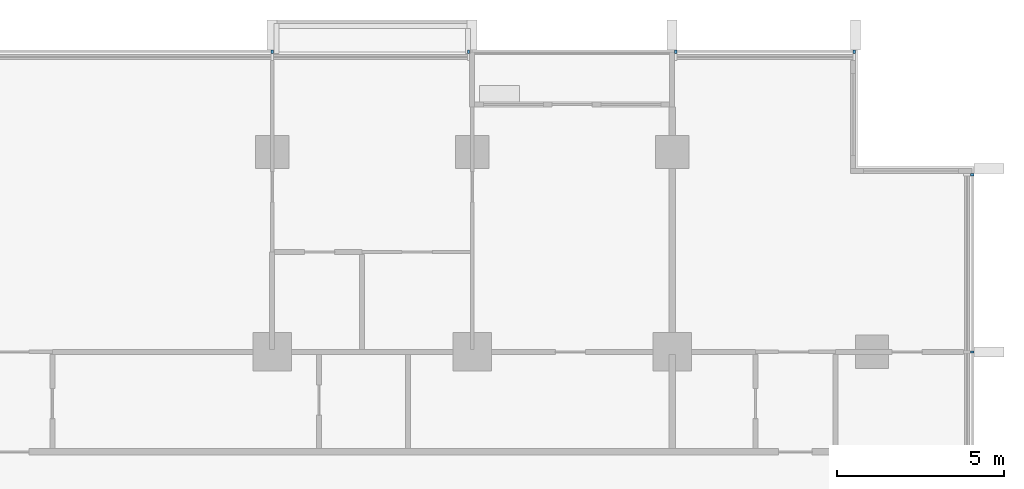
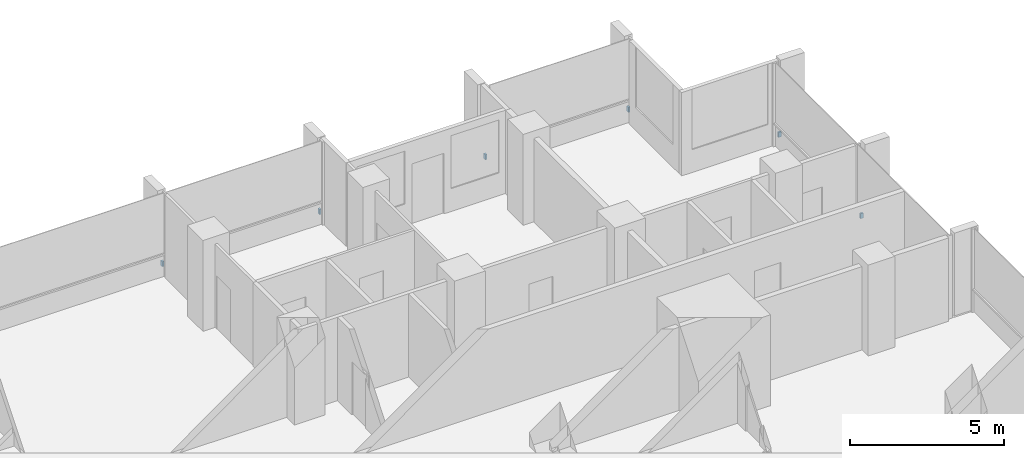
# One storey, part 16 of 17: 6 discrete accessories.
"""IFC4 building model written with IfcOpenShell, lengths in metres."""

from ifc_helpers import new_model, si_unit, direction, frame, origin, origin_2d, place, context, subcontext, project, spatial, rectangle, extrude, material, type_object, element, save


model = new_model("IFC4")

# Units and contexts
model_context = context("Model", 3, precision=1e-05, world=origin(), true_north=direction((0.0, 1.0)))
body_context = subcontext(model_context, "Body", "Model", "MODEL_VIEW")
ifc_project = project(units=[si_unit("LENGTHUNIT", "METRE"), si_unit("AREAUNIT", "SQUARE_METRE"), si_unit("VOLUMEUNIT", "CUBIC_METRE"), si_unit("PLANEANGLEUNIT", "RADIAN"), si_unit("MASSUNIT", "GRAM", prefix="KILO")], contexts=[model_context])

# Site, building, storey
site_placement = place(None, origin())
site = spatial("IfcSite", under=ifc_project, at=site_placement, CompositionType="ELEMENT")
building_placement = place(site_placement, origin())
building = spatial("IfcBuilding", under=site, at=building_placement, Name="Finial Court Residences", CompositionType="ELEMENT")
storey_placement = place(building_placement, frame((0.0, 0.0, 102.699951171875)))
storey = spatial("IfcBuildingStorey", under=building, at=storey_placement, Name="L25", CompositionType="ELEMENT", Elevation=102.699951171875)

# Discrete accessories
ifc_material = material(Name="Stainless steel 316", Category="steel")
discrete_accessory_type = type_object("IfcDiscreteAccessoryType", Name="Fin bracket, stainless steel 65 x 110 x 200", PredefinedType="BRACKET", material=ifc_material)
for number, where, z_axis, x_axis, name in (
    (1, (4.5, 22.5048828125, 0.30029296875), (0.0, 0.0, 1.0), (1.0, 0.0, 0.0), "E-L25-FIN-N5-BRK"),
    (2, (10.392578125, 22.5048828125, 0.30029296875), (0.0, 0.0, 1.0), (1.0, 0.0, 0.0), "E-L25-FIN-N6-BRK"),
    (3, (16.607421875, 22.5048828125, 0.30029296875), (0.0, 0.0, 1.0), (1.0, 0.0, 0.0), "E-L25-FIN-N7-BRK"),
    (4, (21.967529296875, 22.5048828125, 0.30029296875), (0.0, 0.0, 1.0), (1.0, 0.0, 0.0), "E-L25-FIN-N8-BRK"),
):
    element("IfcDiscreteAccessory", number, at=place(storey_placement, frame(where, z_axis=z_axis, x_axis=x_axis)), inside=storey, type_object=discrete_accessory_type, Name=name, PredefinedType="BRACKET", context=body_context, shape_type="SweptSolid", body=[
        extrude(rectangle(XDim=0.06494140625, YDim=0.110107421875, at=origin_2d()), origin(), (0.0, 0.0, 1.0), 0.199951171875),
    ])
for number, where, z_axis, x_axis, name in (
    (5, (25.5048828125, 13.5, 0.30029296875), (0.0, 0.0, 1.0), (1.0, 0.0, 0.0), "E-L25-FIN-E14-BRK"),
    (6, (25.5048828125, 18.8173828125, 0.30029296875), (0.0, 0.0, 1.0), (1.0, 0.0, 0.0), "E-L25-FIN-E15-BRK"),
):
    element("IfcDiscreteAccessory", number, at=place(storey_placement, frame(where, z_axis=z_axis, x_axis=x_axis)), inside=storey, type_object=discrete_accessory_type, Name=name, PredefinedType="BRACKET", context=body_context, shape_type="SweptSolid", body=[
        extrude(rectangle(XDim=0.110107421875, YDim=0.06494140625, at=origin_2d()), origin(), (0.0, 0.0, 1.0), 0.199951171875),
    ])

save(model, "model.ifc")
